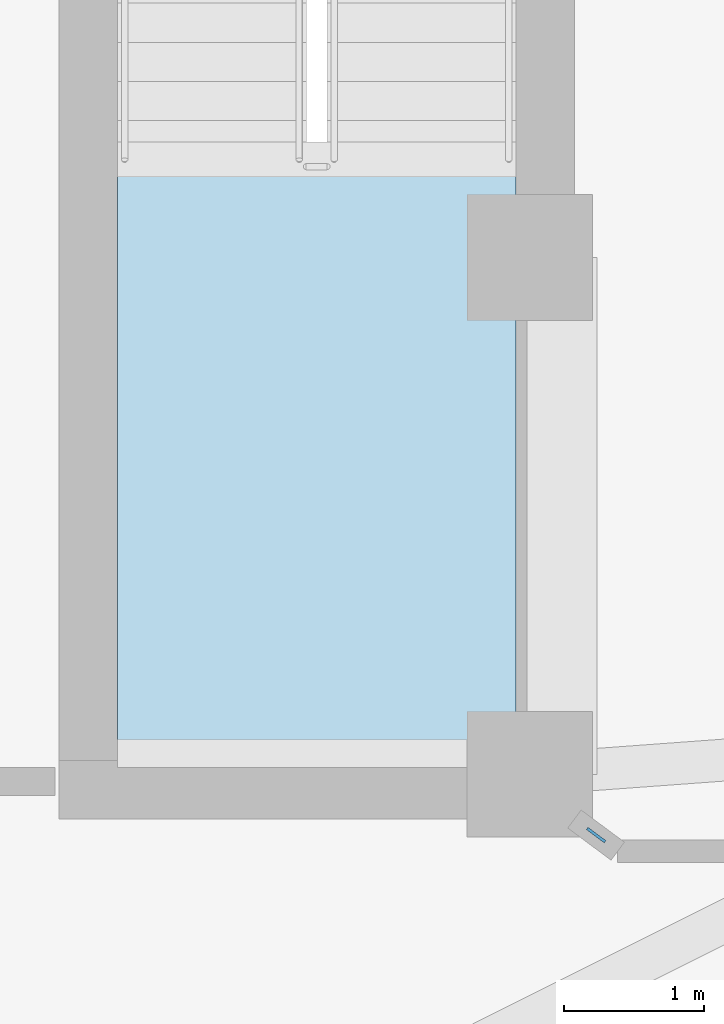
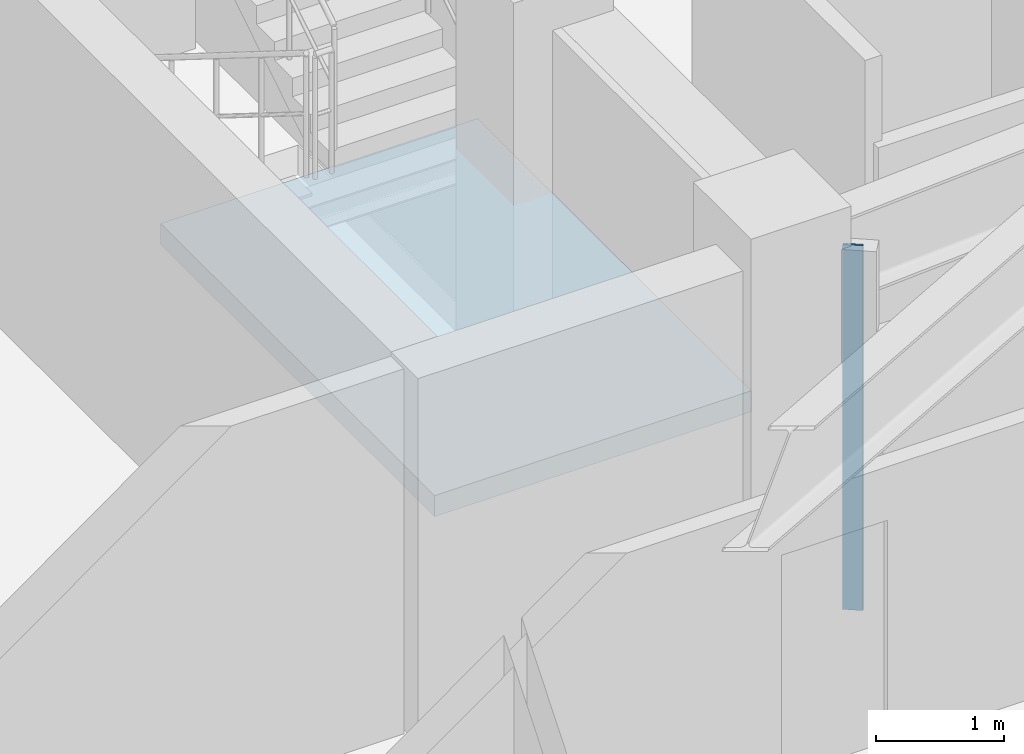
# One storey, part 3 of 10: 1 plate, 1 slab, 1 element without a shape of its own.
"""IFC4 building model written with IfcOpenShell, lengths in metres."""

from ifc_helpers import new_model, si_unit, direction, frame, origin, origin_2d, place, context, subcontext, project, spatial, polyline, rectangle, outline, extrude, material, layer, layer_set, type_object, element, aggregate, save


model = new_model("IFC4")

# Units and contexts
model_context = context("Model", 3, precision=1e-05, world=origin(), true_north=direction((0.0, 1.0)))
body_context = subcontext(model_context, "Body", "Model", "MODEL_VIEW")
ifc_project = project(units=[si_unit("LENGTHUNIT", "METRE"), si_unit("AREAUNIT", "SQUARE_METRE"), si_unit("VOLUMEUNIT", "CUBIC_METRE"), si_unit("PLANEANGLEUNIT", "RADIAN"), si_unit("MASSUNIT", "GRAM", prefix="KILO")], contexts=[model_context])

# Site, building, storey
site_placement = place(None, origin())
site = spatial("IfcSite", under=ifc_project, at=site_placement, CompositionType="ELEMENT")
building_placement = place(site_placement, origin())
building = spatial("IfcBuilding", under=site, at=building_placement, Name="Miruveldt Soraemaru", CompositionType="ELEMENT")
storey_placement = place(building_placement, frame((0.0, 0.0, 278.949951171875)))
storey = spatial("IfcBuildingStorey", under=building, at=storey_placement, Name="L76", CompositionType="ELEMENT", Elevation=278.949951171875)

# Plate
ifc_material_1 = material(Name="Anodised aluminium EN AW-6063 T6", Category="aluminium")
ifc_layer_1 = layer(ifc_material_1, 0.02001953125, Name="Anodised aluminium EN AW-6063 T6", Category="aluminium")
ifc_layer_set_1 = layer_set([ifc_layer_1], Name="Anodised aluminium EN AW-6063 T6")
plate_type = type_object("IfcPlateType", Name="PLT-PART-TRIM", PredefinedType="SHEET", material=ifc_layer_set_1)
plate_placement = place(storey_placement, frame((52.97509765625, 35.06494140625, 0.0), z_axis=(0.0, 0.0, 1.0), x_axis=(-0.803129547743, 0.595804439009, 0.0)))
element("IfcPlate", 1, at=plate_placement, inside=storey, type_object=plate_type, Name="L76 Partition Step Corner Trim Plate 002", PredefinedType="SHEET", context=body_context, shape_type="SweptSolid", body=[
    extrude(rectangle(XDim=0.159912109375, YDim=0.02001953125, at=origin_2d()), origin(), (0.0, 0.0, 1.0), 3.469970703125),
])

# Stair, slab
ifc_material_2 = material(Name="Concrete C40/50 (40 MPa)", Category="concrete")
stair_type = type_object("IfcStairType", Name="STAIR-DL-385", PredefinedType="HALF_TURN_STAIR", material=ifc_material_2)
stair_placement = place(storey_placement, origin())
stair = element("IfcStair", 2, at=stair_placement, inside=storey, type_object=stair_type, Name="L76 Protected Exit Stair ST-2", PredefinedType="HALF_TURN_STAIR")
ifc_layer_2 = layer(ifc_material_2, 0.199951171875, Name="Concrete C40/50 (40 MPa)", Category="concrete")
ifc_layer_set_2 = layer_set([ifc_layer_2], Name="Concrete C40/50 (40 MPa)")
slab_type = type_object("IfcSlabType", Name="SLAB-LAND-200", PredefinedType="LANDING", material=ifc_layer_set_2)
slab_placement = place(storey_placement, frame((0.0, 0.0, 1.72509765625)))
slab = element("IfcSlab", 3, at=slab_placement, type_object=slab_type, Name="ST-2 landing 1", PredefinedType="LANDING", context=body_context, shape_type="SweptSolid", body=[
    extrude(outline(polyline([(49.550048828125, 39.91796875), (49.550048828125, 35.64990234375), (52.39990234375, 35.64990234375), (52.39990234375, 39.91796875), (49.550048828125, 39.91796875)])), origin(), (0.0, 0.0, 1.0), 0.199951171875),
])
aggregate(stair, [slab])

save(model, "model.ifc")
